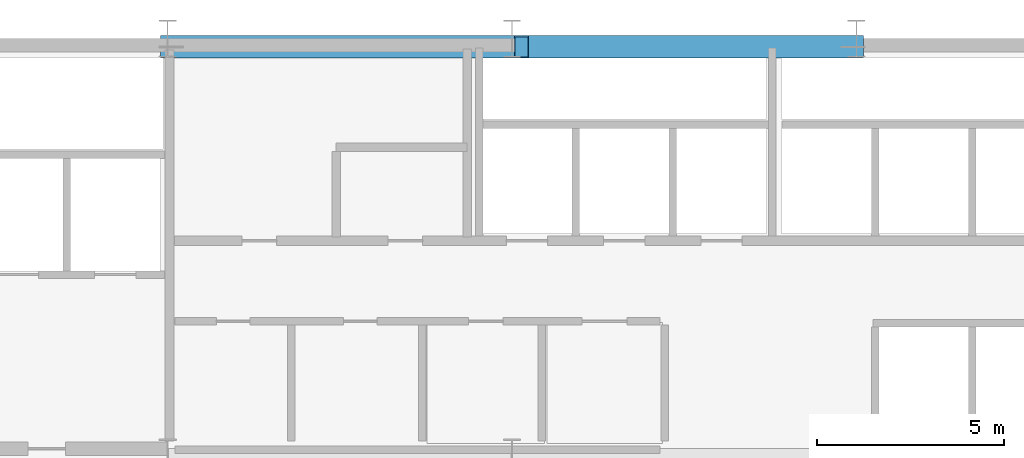
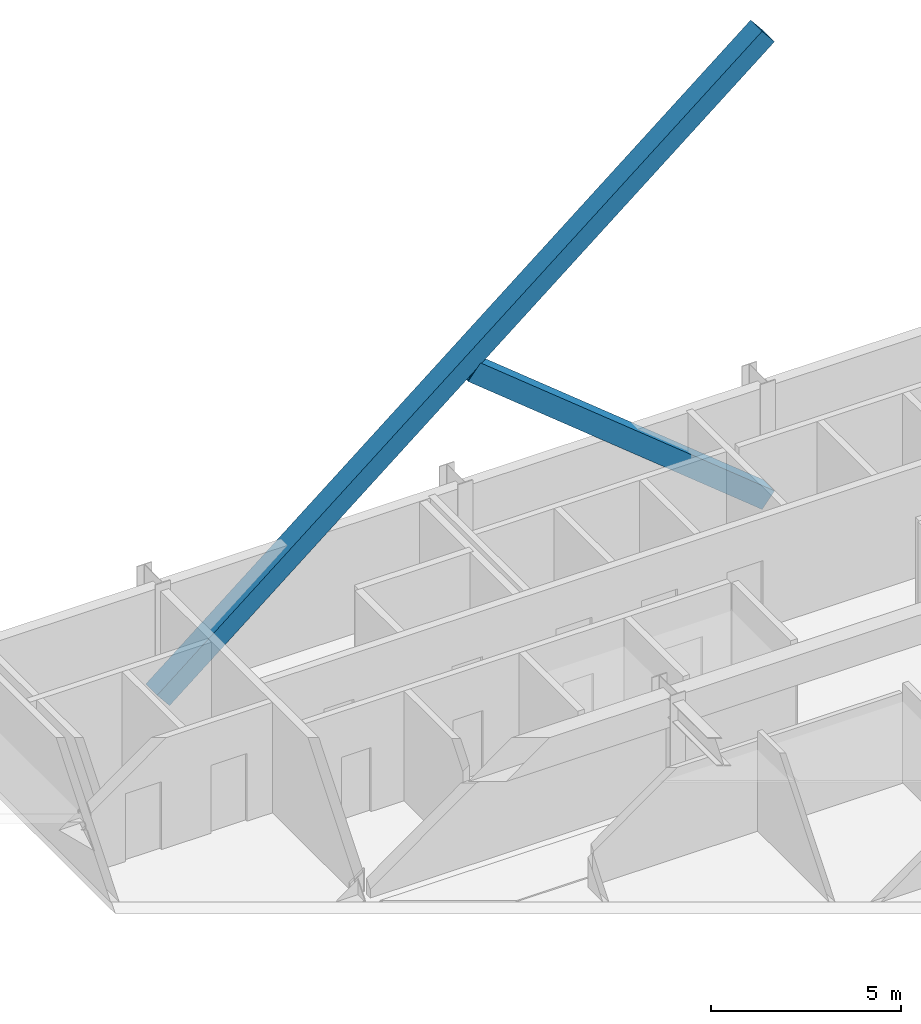
# One storey, part 23 of 34: 2 members.
"""IFC4 building model written with IfcOpenShell, lengths in metres."""

from ifc_helpers import new_model, si_unit, direction, frame, origin, origin_2d, place, context, subcontext, project, spatial, hollow_rectangle, extrude, source, transform, mapped, material, material_profile, profile_set, type_object, type_shapes, element, save


model = new_model("IFC4")

# Units and contexts
model_context = context("Model", 3, precision=1e-05, world=origin(), true_north=direction((0.0, 1.0)))
body_context = subcontext(model_context, "Body", "Model", "MODEL_VIEW")
ifc_project = project(units=[si_unit("LENGTHUNIT", "METRE"), si_unit("AREAUNIT", "SQUARE_METRE"), si_unit("VOLUMEUNIT", "CUBIC_METRE"), si_unit("PLANEANGLEUNIT", "RADIAN"), si_unit("MASSUNIT", "GRAM", prefix="KILO")], contexts=[model_context])

# Site, building, storey
site_placement = place(None, origin())
site = spatial("IfcSite", under=ifc_project, at=site_placement, CompositionType="ELEMENT")
building_placement = place(site_placement, origin())
building = spatial("IfcBuilding", under=site, at=building_placement, Name="Varnel Quay Broadcast Tower", CompositionType="ELEMENT")
storey_placement = place(building_placement, frame((0.0, 0.0, 161.0)))
storey = spatial("IfcBuildingStorey", under=building, at=storey_placement, Name="L39", CompositionType="ELEMENT", Elevation=161.0)

# Members
ifc_material = material(Name="Structural Steel CSA G40.21 350WT", Category="steel")
ifc_material_profile = material_profile(ifc_material, hollow_rectangle(XDim=0.60009765625, YDim=0.60009765625, WallThickness=0.028076171875, at=origin_2d()), Name="BOX600X600X28")
ifc_profile_set = profile_set([ifc_material_profile], Name="Structural Steel CSA G40.21 350WT")
member_type = type_object("IfcMemberType", Name="Brace_BOX600X600X28", PredefinedType="BRACE", material=ifc_profile_set)
shared_shape_1 = source(origin(), body_context, "Body", "SweptSolid", [
    extrude(hollow_rectangle(XDim=0.60009765625, YDim=0.60009765625, WallThickness=0.028076171875, at=origin_2d()), origin(), (0.0, 0.0, 1.0), 23.6826171875),
])
member_1_placement = place(storey_placement, frame((24.800048828125, 46.580078125, 0.02001953125), z_axis=(0.77694013059, 0.0, 0.629574486045), x_axis=(0.0, 1.0, 0.0)))
element("IfcMember", 1, at=member_1_placement, inside=storey, type_object=member_type, Name="Zone 3 Mega-Brace N-CT2 Continuous Diag A", PredefinedType="BRACE", context=body_context, shape_type="MappedRepresentation", body=[
    mapped(shared_shape_1, transform((0.0, 0.0, 0.0), x_axis=(1.0, 0.0, 0.0), y_axis=(0.0, 1.0, 0.0), z_axis=(0.0, 0.0, 1.0), scale=1.0)),
])
shared_shape_2 = source(origin(), body_context, "Body", "SweptSolid", [
    extrude(hollow_rectangle(XDim=0.60009765625, YDim=0.60009765625, WallThickness=0.028076171875, at=origin_2d()), origin(), (0.0, 0.0, 1.0), 11.509521484375),
])
type_shapes(member_type, [shared_shape_1, shared_shape_2])
member_2_placement = place(storey_placement, frame((43.199951171875, 46.580078125, 0.02001953125), z_axis=(-0.776938015537, 0.0, 0.629577096163), x_axis=(0.0, -1.0, 0.0)))
element("IfcMember", 2, at=member_2_placement, inside=storey, type_object=member_type, Name="Zone 3 Mega-Brace N-CT2 Split Diag B1", PredefinedType="BRACE", context=body_context, shape_type="MappedRepresentation", body=[
    mapped(shared_shape_2, transform((0.0, 0.0, 0.0), x_axis=(1.0, 0.0, 0.0), y_axis=(0.0, 1.0, 0.0), z_axis=(0.0, 0.0, 1.0), scale=1.0)),
])

save(model, "model.ifc")
